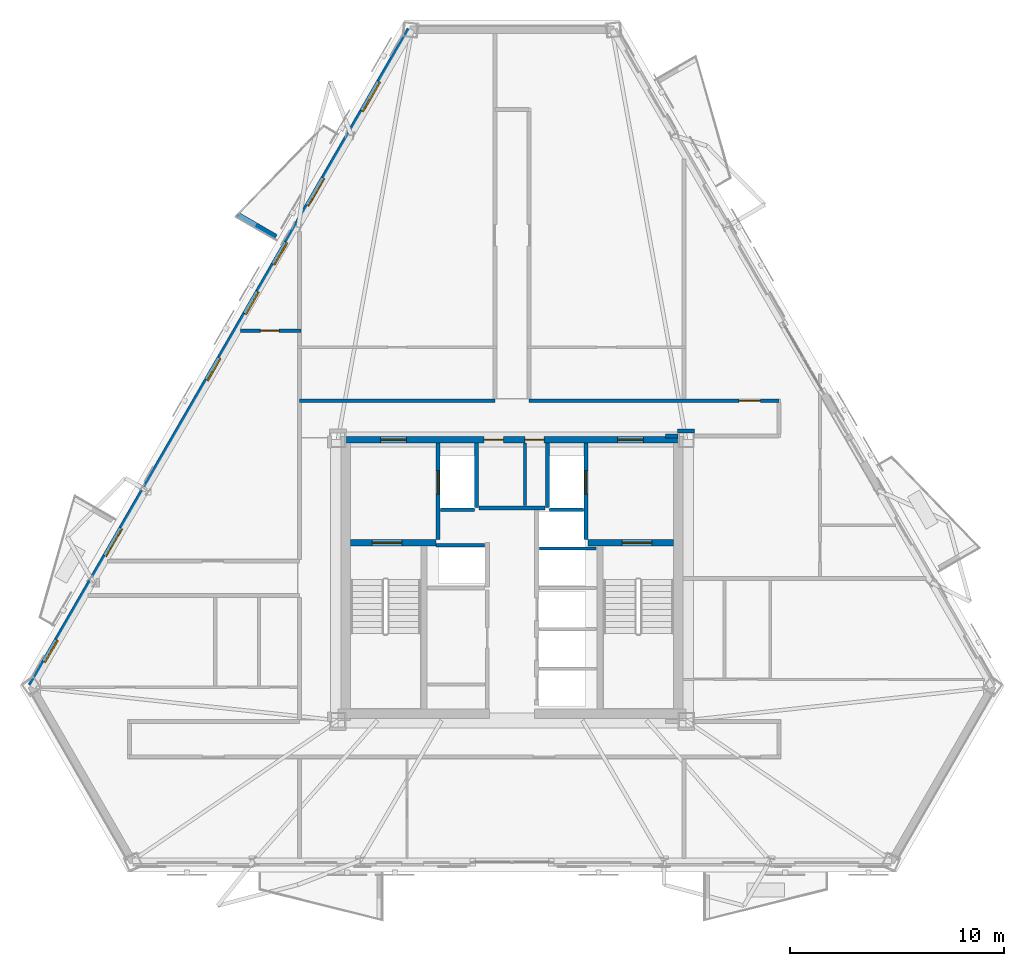
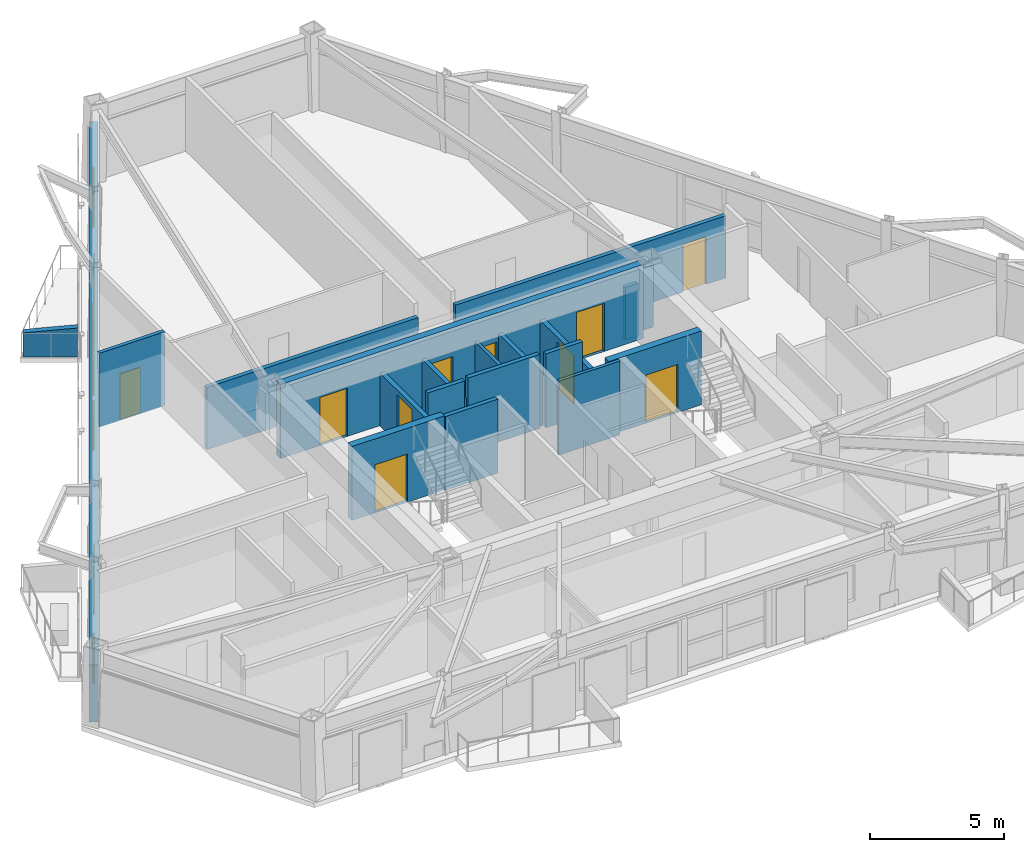
# One storey, part 8 of 14: 20 walls, 12 doors, 5 windows, 17 openings.
"""IFC4 building model written with IfcOpenShell, lengths in metres."""

from ifc_helpers import new_model, si_unit, direction, frame, frame_2d, origin, place, context, subcontext, project, spatial, polyline, rectangle, outline, extrude, material, layer, layer_set, type_object, element, fill, save


model = new_model("IFC4")

# Units and contexts
model_context = context("Model", 3, precision=1e-05, world=origin(), true_north=direction((0.0, 1.0)))
body_context = subcontext(model_context, "Body", "Model", "MODEL_VIEW")
ifc_project = project(units=[si_unit("LENGTHUNIT", "METRE"), si_unit("AREAUNIT", "SQUARE_METRE"), si_unit("VOLUMEUNIT", "CUBIC_METRE"), si_unit("PLANEANGLEUNIT", "RADIAN"), si_unit("MASSUNIT", "GRAM", prefix="KILO")], contexts=[model_context])

# Site, building, storey
site_placement = place(None, origin())
site = spatial("IfcSite", under=ifc_project, at=site_placement, CompositionType="ELEMENT")
building_placement = place(site_placement, origin())
building = spatial("IfcBuilding", under=site, at=building_placement, Name="Oramaril Tower", CompositionType="ELEMENT")
storey_placement = place(building_placement, frame((0.0, 0.0, 149.39990234375)))
storey = spatial("IfcBuildingStorey", under=building, at=storey_placement, Name="L39", CompositionType="ELEMENT", Elevation=149.39990234375)

# Wall, openings, doors, windows
ifc_material_1 = material(Name="Warm Cream Limestone", Category="masonry")
ifc_layer_1 = layer(ifc_material_1, 0.340087890625)
ifc_layer_set_1 = layer_set([ifc_layer_1], Name="WT-EXT34")
wall_type_1 = type_object("IfcWallType", Name="WT-EXT34", PredefinedType="SOLIDWALL", material=ifc_layer_set_1)
wall_1_placement = place(storey_placement, frame((32.73388671875, 43.331298828125, 0.0), z_axis=(0.0, 0.0, 1.0), x_axis=(-0.499998697515, -0.866026155773, 0.0)))
wall_1 = element("IfcWall", 1, at=wall_1_placement, inside=storey, type_object=wall_type_1, Name="L39 Tower Limestone Facade Wall 6M", PredefinedType="SOLIDWALL", context=body_context, shape_type="SweptSolid", body=[
    extrude(rectangle(XDim=35.4716796875, YDim=0.340087890625, at=frame_2d((17.73583984375, 0.0))), origin(), (0.0, 0.0, 1.0), 2.60009765625),
])
opening_1_placement = place(wall_1_placement, frame((8.034423828125, 0.0, 0.0)))
opening_1 = element("IfcOpeningElement", 2, at=opening_1_placement, cuts=wall_1, Name="Opening D-L39-BAL-NW1", PredefinedType="OPENING", context=body_context, shape_type="SweptSolid", body=[
    extrude(rectangle(XDim=1.5, YDim=2.199951171875, at=frame_2d((0.75, 1.10009765625))), frame((0.0, 0.169921875, 0.0), z_axis=(0.0, -1.0, 0.0), x_axis=(1.0, 0.0, 0.0)), (0.0, 0.0, 1.0), 0.340087890625),
])
opening_2_placement = place(wall_1_placement, frame((26.97265625, 0.0, 0.0)))
opening_2 = element("IfcOpeningElement", 3, at=opening_2_placement, cuts=wall_1, Name="Opening D-L39-BAL-NW2", PredefinedType="OPENING", context=body_context, shape_type="SweptSolid", body=[
    extrude(rectangle(XDim=1.5, YDim=2.199951171875, at=frame_2d((0.75, 1.10009765625))), frame((0.0, 0.169921875, 0.0), z_axis=(0.0, -1.0, 0.0), x_axis=(1.0, 0.0, 0.0)), (0.0, 0.0, 1.0), 0.340087890625),
])
opening_3_placement = place(wall_1_placement, frame((33.00048828125, 0.0, 0.85009765625)))
opening_3 = element("IfcOpeningElement", 4, at=opening_3_placement, cuts=wall_1, Name="Opening WN-09", PredefinedType="OPENING", context=body_context, shape_type="SweptSolid", body=[
    extrude(rectangle(XDim=1.199951171875, YDim=1.47998046875, at=frame_2d((0.60009765625, 0.739990234375))), frame((0.0, 0.169921875, 0.0), z_axis=(0.0, -1.0, 0.0), x_axis=(1.0, 0.0, 0.0)), (0.0, 0.0, 1.0), 0.340087890625),
])
opening_4_placement = place(wall_1_placement, frame((17.76708984375, 0.0, 0.85009765625)))
opening_4 = element("IfcOpeningElement", 5, at=opening_4_placement, cuts=wall_1, Name="Opening WN-09", PredefinedType="OPENING", context=body_context, shape_type="SweptSolid", body=[
    extrude(rectangle(XDim=1.199951171875, YDim=1.47998046875, at=frame_2d((0.60009765625, 0.739990234375))), frame((0.0, 0.169921875, 0.0), z_axis=(0.0, -1.0, 0.0), x_axis=(1.0, 0.0, 0.0)), (0.0, 0.0, 1.0), 0.340087890625),
])
opening_5_placement = place(wall_1_placement, frame((11.51318359375, 0.0, 0.85009765625)))
opening_5 = element("IfcOpeningElement", 6, at=opening_5_placement, cuts=wall_1, Name="Opening WN-09", PredefinedType="OPENING", context=body_context, shape_type="SweptSolid", body=[
    extrude(rectangle(XDim=1.199951171875, YDim=1.47998046875, at=frame_2d((0.60009765625, 0.739990234375))), frame((0.0, 0.169921875, 0.0), z_axis=(0.0, -1.0, 0.0), x_axis=(1.0, 0.0, 0.0)), (0.0, 0.0, 1.0), 0.340087890625),
])
opening_6_placement = place(wall_1_placement, frame((14.179443359375, 0.0, 0.85009765625)))
opening_6 = element("IfcOpeningElement", 7, at=opening_6_placement, cuts=wall_1, Name="Opening WN-09", PredefinedType="OPENING", context=body_context, shape_type="SweptSolid", body=[
    extrude(rectangle(XDim=1.199951171875, YDim=1.47998046875, at=frame_2d((0.60009765625, 0.739990234375))), frame((0.0, 0.169921875, 0.0), z_axis=(0.0, -1.0, 0.0), x_axis=(1.0, 0.0, 0.0)), (0.0, 0.0, 1.0), 0.340087890625),
])
opening_7_placement = place(wall_1_placement, frame((2.822998046875, 0.0, 0.85009765625)))
opening_7 = element("IfcOpeningElement", 8, at=opening_7_placement, cuts=wall_1, Name="Opening WN-07", PredefinedType="OPENING", context=body_context, shape_type="SweptSolid", body=[
    extrude(rectangle(XDim=1.60009765625, YDim=1.639892578125, at=frame_2d((0.800048828125, 0.81982421875))), frame((0.0, 0.169921875, 0.0), z_axis=(0.0, -1.0, 0.0), x_axis=(1.0, 0.0, 0.0)), (0.0, 0.0, 1.0), 0.340087890625),
])
ifc_material_2 = material(Name="Anodised Aluminium 6063-T6", Category="aluminium")
door_type_1 = type_object("IfcDoorType", Name="DT-BAL", OperationType="NOTDEFINED", PredefinedType="DOOR", material=ifc_material_2)
door_1_placement = place(opening_1_placement, origin())
door_1 = element("IfcDoor", 9, at=door_1_placement, inside=storey, type_object=door_type_1, Name="L39 Balcony Glazed Door L39-BAL-NW1", OperationType="SINGLE_SWING_RIGHT", OverallHeight=2.199951171875, OverallWidth=1.5, PredefinedType="DOOR", context=body_context, shape_type="SweptSolid", body=[
    extrude(rectangle(XDim=1.5, YDim=2.199951171875, at=frame_2d((0.75, 1.10009765625))), frame((0.0, 0.02490234375, 0.0), z_axis=(0.0, -1.0, 0.0), x_axis=(1.0, 0.0, 0.0)), (0.0, 0.0, 1.0), 0.050048828125),
])
fill(opening_1, door_1)
door_2_placement = place(opening_2_placement, origin())
door_2 = element("IfcDoor", 10, at=door_2_placement, inside=storey, type_object=door_type_1, Name="L39 Balcony Glazed Door L39-BAL-NW2", OperationType="SINGLE_SWING_LEFT", OverallHeight=2.199951171875, OverallWidth=1.5, PredefinedType="DOOR", context=body_context, shape_type="SweptSolid", body=[
    extrude(rectangle(XDim=1.5, YDim=2.199951171875, at=frame_2d((0.75, 1.10009765625))), frame((0.0, 0.02490234375, 0.0), z_axis=(0.0, -1.0, 0.0), x_axis=(1.0, 0.0, 0.0)), (0.0, 0.0, 1.0), 0.050048828125),
])
fill(opening_2, door_2)
ifc_material_3 = material(Name="Coastal Low-E Insulated Glass", Category="glass")
window_type_1 = type_object("IfcWindowType", Name="WNT-07", PartitioningType="SINGLE_PANEL", PredefinedType="WINDOW", material=ifc_material_3)
window_1_placement = place(opening_7_placement, origin())
window_1 = element("IfcWindow", 11, at=window_1_placement, inside=storey, type_object=window_type_1, Name="L39 Chicago Bay Window WN-07", OverallHeight=1.639892578125, OverallWidth=1.60009765625, PartitioningType="SINGLE_PANEL", PredefinedType="WINDOW", context=body_context, shape_type="SweptSolid", body=[
    extrude(rectangle(XDim=1.60009765625, YDim=1.639892578125, at=frame_2d((0.800048828125, 0.81982421875))), frame((0.0, 0.030029296875, 0.0), z_axis=(0.0, -1.0, 0.0), x_axis=(1.0, 0.0, 0.0)), (0.0, 0.0, 1.0), 0.06005859375),
])
fill(opening_7, window_1)
ifc_material_4 = material(Name="Coastal Low-E Insulated Glass", Category="glass")
window_type_2 = type_object("IfcWindowType", Name="WNT-09", PartitioningType="SINGLE_PANEL", PredefinedType="WINDOW", material=ifc_material_4)
window_2_placement = place(opening_3_placement, origin())
window_2 = element("IfcWindow", 12, at=window_2_placement, inside=storey, type_object=window_type_2, Name="L39 Chicago Bay Window WN-09", OverallHeight=1.47998046875, OverallWidth=1.199951171875, PartitioningType="SINGLE_PANEL", PredefinedType="WINDOW", context=body_context, shape_type="SweptSolid", body=[
    extrude(rectangle(XDim=1.199951171875, YDim=1.47998046875, at=frame_2d((0.60009765625, 0.739990234375))), frame((0.0, 0.030029296875, 0.0), z_axis=(0.0, -1.0, 0.0), x_axis=(1.0, 0.0, 0.0)), (0.0, 0.0, 1.0), 0.06005859375),
])
fill(opening_3, window_2)
window_3_placement = place(opening_4_placement, origin())
window_3 = element("IfcWindow", 13, at=window_3_placement, inside=storey, type_object=window_type_2, Name="L39 Chicago Bay Window WN-09", OverallHeight=1.47998046875, OverallWidth=1.199951171875, PartitioningType="SINGLE_PANEL", PredefinedType="WINDOW", context=body_context, shape_type="SweptSolid", body=[
    extrude(rectangle(XDim=1.199951171875, YDim=1.47998046875, at=frame_2d((0.60009765625, 0.739990234375))), frame((0.0, 0.030029296875, 0.0), z_axis=(0.0, -1.0, 0.0), x_axis=(1.0, 0.0, 0.0)), (0.0, 0.0, 1.0), 0.06005859375),
])
fill(opening_4, window_3)
window_4_placement = place(opening_5_placement, origin())
window_4 = element("IfcWindow", 14, at=window_4_placement, inside=storey, type_object=window_type_2, Name="L39 Chicago Bay Window WN-09", OverallHeight=1.47998046875, OverallWidth=1.199951171875, PartitioningType="SINGLE_PANEL", PredefinedType="WINDOW", context=body_context, shape_type="SweptSolid", body=[
    extrude(rectangle(XDim=1.199951171875, YDim=1.47998046875, at=frame_2d((0.60009765625, 0.739990234375))), frame((0.0, 0.030029296875, 0.0), z_axis=(0.0, -1.0, 0.0), x_axis=(1.0, 0.0, 0.0)), (0.0, 0.0, 1.0), 0.06005859375),
])
fill(opening_5, window_4)
window_5_placement = place(opening_6_placement, origin())
window_5 = element("IfcWindow", 15, at=window_5_placement, inside=storey, type_object=window_type_2, Name="L39 Chicago Bay Window WN-09", OverallHeight=1.47998046875, OverallWidth=1.199951171875, PartitioningType="SINGLE_PANEL", PredefinedType="WINDOW", context=body_context, shape_type="SweptSolid", body=[
    extrude(rectangle(XDim=1.199951171875, YDim=1.47998046875, at=frame_2d((0.60009765625, 0.739990234375))), frame((0.0, 0.030029296875, 0.0), z_axis=(0.0, -1.0, 0.0), x_axis=(1.0, 0.0, 0.0)), (0.0, 0.0, 1.0), 0.06005859375),
])
fill(opening_6, window_5)

# Walls
ifc_material_5 = material(Name="Concrete C40/50", Category="concrete")
ifc_layer_2 = layer(ifc_material_5, 0.22998046875)
ifc_layer_set_2 = layer_set([ifc_layer_2], Name="WT-PRP23")
wall_type_2 = type_object("IfcWallType", Name="WT-PRP23", PredefinedType="PARAPET", material=ifc_layer_set_2)
wall_2_placement = place(storey_placement, frame((26.451416015625, 33.645751953125, 0.0), z_axis=(0.0, 0.0, 1.0), x_axis=(-0.866012356593, 0.500022597718, 0.0)))
element("IfcWall", 16, at=wall_2_placement, inside=storey, type_object=wall_type_2, Name="L39 Trapezoidal Balcony Frame Cheek L39-BAL-NW1-R", PredefinedType="PARAPET", context=body_context, shape_type="SweptSolid", body=[
    extrude(outline(polyline([(0.0, 0.0), (2.0419921875, 0.0), (2.0419921875, 1.10009765625), (0.0, 1.320068359375), (0.0, 0.0)])), frame((0.0, 0.114990234375, 0.0), z_axis=(0.0, -1.0, 0.0), x_axis=(1.0, 0.0, 0.0)), (0.0, 0.0, 1.0), 0.22998046875),
])
ifc_material_6 = material(Name="Acoustic Gypsum Board Partition")
ifc_layer_3 = layer(ifc_material_6, 0.139892578125)
ifc_layer_set_3 = layer_set([ifc_layer_3], Name="WT-PT14")
wall_type_3 = type_object("IfcWallType", Name="WT-PT14", PredefinedType="PARTITIONING", material=ifc_layer_set_3)
wall_3_placement = place(storey_placement, frame((38.780029296875, 19.050048828125, 0.0), z_axis=(0.0, 0.0, 1.0), x_axis=(1.0, 0.0, 0.0)))
element("IfcWall", 17, at=wall_3_placement, inside=storey, type_object=wall_type_3, Name="L39 East Lift Divider", PredefinedType="PARTITIONING", context=body_context, shape_type="SweptSolid", body=[
    extrude(rectangle(XDim=2.659912109375, YDim=0.139892578125, at=frame_2d((1.330078125, 0.0))), origin(), (0.0, 0.0, 1.0), 3.380126953125),
])
wall_4_placement = place(storey_placement, frame((38.110107421875, 21.06005859375, 0.0), z_axis=(0.0, 0.0, 1.0), x_axis=(0.0, 1.0, 0.0)))
element("IfcWall", 18, at=wall_4_placement, inside=storey, type_object=wall_type_3, Name="L39 Core Service Divider", PredefinedType="PARTITIONING", context=body_context, shape_type="SweptSolid", body=[
    extrude(rectangle(XDim=2.919921875, YDim=0.139892578125, at=frame_2d((1.4599609375, 0.0))), origin(), (0.0, 0.0, 1.0), 2.420166015625),
])

# Wall, opening, door
ifc_material_7 = material(Name="Acoustic Gypsum Board Partition")
ifc_layer_4 = layer(ifc_material_7, 0.159912109375)
ifc_layer_set_4 = layer_set([ifc_layer_4], Name="WT-PT16")
wall_type_4 = type_object("IfcWallType", Name="WT-PT16", PredefinedType="PARTITIONING", material=ifc_layer_set_4)
wall_5_placement = place(storey_placement, frame((24.79931640625, 29.239990234375, 0.0), z_axis=(0.0, 0.0, 1.0), x_axis=(1.0, 0.0, 0.0)))
wall_5 = element("IfcWall", 19, at=wall_5_placement, inside=storey, type_object=wall_type_4, Name="L39 Interior Partition PT-16", PredefinedType="PARTITIONING", context=body_context, shape_type="SweptSolid", body=[
    extrude(rectangle(XDim=2.832763671875, YDim=0.159912109375, at=frame_2d((1.41650390625, 0.0))), origin(), (0.0, 0.0, 1.0), 3.380126953125),
])
opening_8_placement = place(wall_5_placement, frame((0.919677734375, 0.0, 0.0)))
opening_8 = element("IfcOpeningElement", 20, at=opening_8_placement, cuts=wall_5, Name="Opening D-L39-14", PredefinedType="OPENING", context=body_context, shape_type="SweptSolid", body=[
    extrude(rectangle(XDim=0.8798828125, YDim=2.080078125, at=frame_2d((0.43994140625, 1.0400390625))), frame((0.0, 0.080078125, 0.0), z_axis=(0.0, -1.0, 0.0), x_axis=(1.0, 0.0, 0.0)), (0.0, 0.0, 1.0), 0.159912109375),
])
ifc_material_8 = material(Name="FSC Brazilian Freijo Hardwood", Category="wood")
door_type_2 = type_object("IfcDoorType", Name="DT-BATH", OperationType="NOTDEFINED", PredefinedType="DOOR", material=ifc_material_8)
door_3_placement = place(opening_8_placement, origin())
door_3 = element("IfcDoor", 21, at=door_3_placement, inside=storey, type_object=door_type_2, Name="L39 Flat L39-U3 Bathroom Door D-L39-14", OperationType="SINGLE_SWING_LEFT", OverallHeight=2.080078125, OverallWidth=0.8798828125, PredefinedType="DOOR", context=body_context, shape_type="SweptSolid", body=[
    extrude(rectangle(XDim=0.8798828125, YDim=2.080078125, at=frame_2d((0.43994140625, 1.0400390625))), frame((0.0, 0.02490234375, 0.0), z_axis=(0.0, -1.0, 0.0), x_axis=(1.0, 0.0, 0.0)), (0.0, 0.0, 1.0), 0.050048828125),
])
fill(opening_8, door_3)

# Walls
ifc_material_9 = material(Name="Autoclaved Cellular Concrete Block", Category="concrete")
ifc_layer_5 = layer(ifc_material_9, 0.179931640625)
ifc_layer_set_5 = layer_set([ifc_layer_5], Name="WT-PT18")
wall_type_5 = type_object("IfcWallType", Name="WT-PT18", PredefinedType="PARTITIONING", material=ifc_layer_set_5)
wall_6_placement = place(storey_placement, frame((35.840087890625, 20.9599609375, 0.0), z_axis=(0.0, 0.0, 1.0), x_axis=(0.0, 1.0, 0.0)))
element("IfcWall", 22, at=wall_6_placement, inside=storey, type_object=wall_type_5, Name="L39 FL-1 East Shaft Wall", PredefinedType="PARTITIONING", context=body_context, shape_type="SweptSolid", body=[
    extrude(rectangle(XDim=3.02001953125, YDim=0.179931640625, at=frame_2d((1.510009765625, 0.0))), origin(), (0.0, 0.0, 1.0), 2.420166015625),
])
wall_7_placement = place(storey_placement, frame((34.159912109375, 20.860107421875, 0.0), z_axis=(0.0, 0.0, 1.0), x_axis=(1.0, 0.0, 0.0)))
element("IfcWall", 23, at=wall_7_placement, inside=storey, type_object=wall_type_5, Name="L39 FL-1 South Shaft Wall", PredefinedType="PARTITIONING", context=body_context, shape_type="SweptSolid", body=[
    extrude(rectangle(XDim=1.580078125, YDim=0.179931640625, at=frame_2d((0.7900390625, 0.0))), origin(), (0.0, 0.0, 1.0), 3.380126953125),
])
wall_8_placement = place(storey_placement, frame((39.159912109375, 20.9599609375, 0.0), z_axis=(0.0, 0.0, 1.0), x_axis=(0.0, 1.0, 0.0)))
element("IfcWall", 24, at=wall_8_placement, inside=storey, type_object=wall_type_5, Name="L39 FL-2 West Shaft Wall", PredefinedType="PARTITIONING", context=body_context, shape_type="SweptSolid", body=[
    extrude(rectangle(XDim=3.02001953125, YDim=0.179931640625, at=frame_2d((1.510009765625, 0.0))), origin(), (0.0, 0.0, 1.0), 2.420166015625),
])
wall_9_placement = place(storey_placement, frame((39.260009765625, 20.860107421875, 0.0), z_axis=(0.0, 0.0, 1.0), x_axis=(1.0, 0.0, 0.0)))
element("IfcWall", 25, at=wall_9_placement, inside=storey, type_object=wall_type_5, Name="L39 FL-2 South Shaft Wall", PredefinedType="PARTITIONING", context=body_context, shape_type="SweptSolid", body=[
    extrude(rectangle(XDim=1.580078125, YDim=0.179931640625, at=frame_2d((0.7900390625, 0.0))), origin(), (0.0, 0.0, 1.0), 3.380126953125),
])
wall_10_placement = place(storey_placement, frame((33.949951171875, 19.199951171875, 0.0), z_axis=(0.0, 0.0, 1.0), x_axis=(1.0, 0.0, 0.0)))
element("IfcWall", 26, at=wall_10_placement, inside=storey, type_object=wall_type_5, Name="L39 High-Rise Lift H1 North Shaft Wall", PredefinedType="PARTITIONING", context=body_context, shape_type="SweptSolid", body=[
    extrude(rectangle(XDim=2.27001953125, YDim=0.179931640625, at=frame_2d((1.135009765625, 0.0))), origin(), (0.0, 0.0, 1.0), 3.380126953125),
])
wall_11_placement = place(storey_placement, frame((35.949951171875, 20.949951171875, 0.0), z_axis=(0.0, 0.0, 1.0), x_axis=(1.0, 0.0, 0.0)))
element("IfcWall", 27, at=wall_11_placement, inside=storey, type_object=wall_type_5, Name="L39 Lift Lobby North Partition", PredefinedType="PARTITIONING", context=body_context, shape_type="SweptSolid", body=[
    extrude(rectangle(XDim=3.10009765625, YDim=0.179931640625, at=frame_2d((1.550048828125, 0.0))), origin(), (0.0, 0.0, 1.0), 3.380126953125),
])
wall_12_placement = place(storey_placement, frame((44.695068359375, 24.320068359375, 0.0), z_axis=(0.0, 0.0, 1.0), x_axis=(1.0, 0.0, 0.0)))
element("IfcWall", 28, at=wall_12_placement, inside=storey, type_object=wall_type_5, Name="L39 Interior Partition PT-18", PredefinedType="PARTITIONING", context=body_context, shape_type="SweptSolid", body=[
    extrude(rectangle(XDim=0.56494140625, YDim=0.179931640625, at=frame_2d((0.282470703125, 0.0))), origin(), (0.0, 0.0, 1.0), 2.420166015625),
])
wall_13_placement = place(storey_placement, frame((45.2548828125, 24.550048828125, 0.0), z_axis=(0.0, 0.0, 1.0), x_axis=(1.0, 0.0, 0.0)))
element("IfcWall", 29, at=wall_13_placement, inside=storey, type_object=wall_type_5, Name="L39 Interior Partition PT-18", PredefinedType="PARTITIONING", context=body_context, shape_type="SweptSolid", body=[
    extrude(rectangle(XDim=0.7900390625, YDim=0.179931640625, at=frame_2d((0.39501953125, 0.0))), origin(), (0.0, 0.0, 1.0), 2.842041015625),
])
wall_14_placement = place(storey_placement, frame((27.550048828125, 25.969970703125, 0.0), z_axis=(0.0, 0.0, 1.0), x_axis=(1.0, 0.0, 0.0)))
element("IfcWall", 30, at=wall_14_placement, inside=storey, type_object=wall_type_5, Name="L39 Interior Partition PT-18", PredefinedType="PARTITIONING", context=body_context, shape_type="SweptSolid", body=[
    extrude(rectangle(XDim=9.14990234375, YDim=0.179931640625, at=frame_2d((4.574951171875, 0.0))), origin(), (0.0, 0.0, 1.0), 2.842041015625),
])

# Wall, opening, door
wall_15_placement = place(storey_placement, frame((38.300048828125, 25.969970703125, 0.0), z_axis=(0.0, 0.0, 1.0), x_axis=(1.0, 0.0, 0.0)))
wall_15 = element("IfcWall", 31, at=wall_15_placement, inside=storey, type_object=wall_type_5, Name="L39 Interior Partition PT-18", PredefinedType="PARTITIONING", context=body_context, shape_type="SweptSolid", body=[
    extrude(rectangle(XDim=11.699951171875, YDim=0.179931640625, at=frame_2d((5.85009765625, 0.0))), origin(), (0.0, 0.0, 1.0), 2.842041015625),
])
opening_9_placement = place(wall_15_placement, frame((9.832275390625, 0.0, 0.0)))
opening_9 = element("IfcOpeningElement", 32, at=opening_9_placement, cuts=wall_15, Name="Opening D-L39-11", PredefinedType="OPENING", context=body_context, shape_type="SweptSolid", body=[
    extrude(rectangle(XDim=1.0, YDim=2.179931640625, at=frame_2d((0.5, 1.08984375))), frame((0.0, 0.08984375, 0.0), z_axis=(0.0, -1.0, 0.0), x_axis=(1.0, 0.0, 0.0)), (0.0, 0.0, 1.0), 0.179931640625),
])
ifc_material_10 = material(Name="FSC Brazilian Freijo Hardwood", Category="wood")
door_type_3 = type_object("IfcDoorType", Name="DT-APT", OperationType="NOTDEFINED", PredefinedType="DOOR", material=ifc_material_10)
door_4_placement = place(opening_9_placement, origin())
door_4 = element("IfcDoor", 33, at=door_4_placement, inside=storey, type_object=door_type_3, Name="L39 Flat L39-U5 Studio Apartment Door D-L39-11", OperationType="SINGLE_SWING_RIGHT", OverallHeight=2.179931640625, OverallWidth=1.0, PredefinedType="DOOR", context=body_context, shape_type="SweptSolid", body=[
    extrude(rectangle(XDim=1.0, YDim=2.179931640625, at=frame_2d((0.5, 1.08984375))), frame((0.0, 0.02490234375, 0.0), z_axis=(0.0, -1.0, 0.0), x_axis=(1.0, 0.0, 0.0)), (0.0, 0.0, 1.0), 0.050048828125),
])
fill(opening_9, door_4)

# Wall, openings, doors
ifc_material_11 = material(Name="Concrete C50/60", Category="concrete")
ifc_layer_6 = layer(ifc_material_11, 0.300048828125)
ifc_layer_set_6 = layer_set([ifc_layer_6], Name="WT-SH30")
wall_type_6 = type_object("IfcWallType", Name="WT-SH30", PredefinedType="SHEAR", material=ifc_layer_set_6)
wall_16_placement = place(storey_placement, frame((29.64990234375, 24.14990234375, 0.0), z_axis=(0.0, 0.0, 1.0), x_axis=(1.0, 0.0, 0.0)))
wall_16 = element("IfcWall", 34, at=wall_16_placement, inside=storey, type_object=wall_type_6, Name="L39 Core Shear Wall CW-N", PredefinedType="SHEAR", context=body_context, shape_type="SweptSolid", body=[
    extrude(rectangle(XDim=15.7001953125, YDim=0.300048828125, at=frame_2d((7.85009765625, 0.0))), origin(), (0.0, 0.0, 1.0), 3.380126953125),
])
opening_10_placement = place(wall_16_placement, frame((1.699951171875, 0.0, 0.0)))
opening_10 = element("IfcOpeningElement", 35, at=opening_10_placement, cuts=wall_16, Name="Opening D-L39-FFL1", PredefinedType="OPENING", context=body_context, shape_type="SweptSolid", body=[
    extrude(rectangle(XDim=1.199951171875, YDim=2.199951171875, at=frame_2d((0.60009765625, 1.10009765625))), frame((0.0, 0.14990234375, 0.0), z_axis=(0.0, -1.0, 0.0), x_axis=(1.0, 0.0, 0.0)), (0.0, 0.0, 1.0), 0.300048828125),
])
opening_11_placement = place(wall_16_placement, frame((12.800048828125, 0.0, 0.0)))
opening_11 = element("IfcOpeningElement", 36, at=opening_11_placement, cuts=wall_16, Name="Opening D-L39-FFL2", PredefinedType="OPENING", context=body_context, shape_type="SweptSolid", body=[
    extrude(rectangle(XDim=1.199951171875, YDim=2.199951171875, at=frame_2d((0.60009765625, 1.10009765625))), frame((0.0, 0.14990234375, 0.0), z_axis=(0.0, -1.0, 0.0), x_axis=(1.0, 0.0, 0.0)), (0.0, 0.0, 1.0), 0.300048828125),
])
opening_12_placement = place(wall_16_placement, frame((6.550048828125, 0.0, 0.0)))
opening_12 = element("IfcOpeningElement", 37, at=opening_12_placement, cuts=wall_16, Name="Opening D-L39-SV1", PredefinedType="OPENING", context=body_context, shape_type="SweptSolid", body=[
    extrude(rectangle(XDim=0.89990234375, YDim=2.050048828125, at=frame_2d((0.449951171875, 1.02490234375))), frame((0.0, 0.14990234375, 0.0), z_axis=(0.0, -1.0, 0.0), x_axis=(1.0, 0.0, 0.0)), (0.0, 0.0, 1.0), 0.300048828125),
])
opening_13_placement = place(wall_16_placement, frame((8.449951171875, 0.0, 0.0)))
opening_13 = element("IfcOpeningElement", 38, at=opening_13_placement, cuts=wall_16, Name="Opening D-L39-SV2", PredefinedType="OPENING", context=body_context, shape_type="SweptSolid", body=[
    extrude(rectangle(XDim=0.89990234375, YDim=2.050048828125, at=frame_2d((0.449951171875, 1.02490234375))), frame((0.0, 0.14990234375, 0.0), z_axis=(0.0, -1.0, 0.0), x_axis=(1.0, 0.0, 0.0)), (0.0, 0.0, 1.0), 0.300048828125),
])
ifc_material_12 = material(Name="Painted Galvanised Steel", Category="steel")
door_type_4 = type_object("IfcDoorType", Name="DT-FFL", OperationType="NOTDEFINED", PredefinedType="DOOR", material=ifc_material_12)
door_5_placement = place(opening_10_placement, origin())
door_5 = element("IfcDoor", 39, at=door_5_placement, inside=storey, type_object=door_type_4, Name="L39 Firefighting Lobby 1 Fire Door", OperationType="SINGLE_SWING_LEFT", OverallHeight=2.199951171875, OverallWidth=1.199951171875, PredefinedType="DOOR", context=body_context, shape_type="SweptSolid", body=[
    extrude(rectangle(XDim=1.199951171875, YDim=2.199951171875, at=frame_2d((0.60009765625, 1.10009765625))), frame((0.0, 0.02490234375, 0.0), z_axis=(0.0, -1.0, 0.0), x_axis=(1.0, 0.0, 0.0)), (0.0, 0.0, 1.0), 0.050048828125),
])
fill(opening_10, door_5)
door_6_placement = place(opening_11_placement, origin())
door_6 = element("IfcDoor", 40, at=door_6_placement, inside=storey, type_object=door_type_4, Name="L39 Firefighting Lobby 2 Fire Door", OperationType="SINGLE_SWING_RIGHT", OverallHeight=2.199951171875, OverallWidth=1.199951171875, PredefinedType="DOOR", context=body_context, shape_type="SweptSolid", body=[
    extrude(rectangle(XDim=1.199951171875, YDim=2.199951171875, at=frame_2d((0.60009765625, 1.10009765625))), frame((0.0, 0.02490234375, 0.0), z_axis=(0.0, -1.0, 0.0), x_axis=(1.0, 0.0, 0.0)), (0.0, 0.0, 1.0), 0.050048828125),
])
fill(opening_11, door_6)
ifc_material_13 = material(Name="Painted Galvanised Steel", Category="steel")
door_type_5 = type_object("IfcDoorType", Name="DT-SVC", OperationType="NOTDEFINED", PredefinedType="DOOR", material=ifc_material_13)
door_7_placement = place(opening_12_placement, origin())
door_7 = element("IfcDoor", 41, at=door_7_placement, inside=storey, type_object=door_type_5, Name="L39 Core Service Store 1 Door", OperationType="SINGLE_SWING_LEFT", OverallHeight=2.050048828125, OverallWidth=0.89990234375, PredefinedType="DOOR", context=body_context, shape_type="SweptSolid", body=[
    extrude(rectangle(XDim=0.89990234375, YDim=2.050048828125, at=frame_2d((0.449951171875, 1.02490234375))), frame((0.0, 0.02490234375, 0.0), z_axis=(0.0, -1.0, 0.0), x_axis=(1.0, 0.0, 0.0)), (0.0, 0.0, 1.0), 0.050048828125),
])
fill(opening_12, door_7)
door_8_placement = place(opening_13_placement, origin())
door_8 = element("IfcDoor", 42, at=door_8_placement, inside=storey, type_object=door_type_5, Name="L39 Core Service Store 2 Door", OperationType="SINGLE_SWING_RIGHT", OverallHeight=2.050048828125, OverallWidth=0.89990234375, PredefinedType="DOOR", context=body_context, shape_type="SweptSolid", body=[
    extrude(rectangle(XDim=0.89990234375, YDim=2.050048828125, at=frame_2d((0.449951171875, 1.02490234375))), frame((0.0, 0.02490234375, 0.0), z_axis=(0.0, -1.0, 0.0), x_axis=(1.0, 0.0, 0.0)), (0.0, 0.0, 1.0), 0.050048828125),
])
fill(opening_13, door_8)

# Wall, opening, door
wall_17_placement = place(storey_placement, frame((29.93994140625, 19.31005859375, 0.0), z_axis=(0.0, 0.0, 1.0), x_axis=(1.0, 0.0, 0.0)))
wall_17 = element("IfcWall", 43, at=wall_17_placement, inside=storey, type_object=wall_type_6, Name="L39 Core Shear Wall CW-ST1N", PredefinedType="SHEAR", context=body_context, shape_type="SweptSolid", body=[
    extrude(rectangle(XDim=4.010009765625, YDim=0.300048828125, at=frame_2d((2.0048828125, 0.0))), origin(), (0.0, 0.0, 1.0), 3.380126953125),
])
opening_14_placement = place(wall_17_placement, frame((1.010009765625, 0.0, 0.0)))
opening_14 = element("IfcOpeningElement", 44, at=opening_14_placement, cuts=wall_17, Name="Opening D-L39-ST1", PredefinedType="OPENING", context=body_context, shape_type="SweptSolid", body=[
    extrude(rectangle(XDim=1.39990234375, YDim=2.199951171875, at=frame_2d((0.699951171875, 1.10009765625))), frame((0.0, 0.14990234375, 0.0), z_axis=(0.0, -1.0, 0.0), x_axis=(1.0, 0.0, 0.0)), (0.0, 0.0, 1.0), 0.300048828125),
])
ifc_material_14 = material(Name="Painted Galvanised Steel", Category="steel")
door_type_6 = type_object("IfcDoorType", Name="DT-ST", OperationType="NOTDEFINED", PredefinedType="DOOR", material=ifc_material_14)
door_9_placement = place(opening_14_placement, origin())
door_9 = element("IfcDoor", 45, at=door_9_placement, inside=storey, type_object=door_type_6, Name="L39 Protected Stair ST-1 Fire Door", OperationType="SINGLE_SWING_LEFT", OverallHeight=2.199951171875, OverallWidth=1.39990234375, PredefinedType="DOOR", context=body_context, shape_type="SweptSolid", body=[
    extrude(rectangle(XDim=1.39990234375, YDim=2.199951171875, at=frame_2d((0.699951171875, 1.10009765625))), frame((0.0, 0.02490234375, 0.0), z_axis=(0.0, -1.0, 0.0), x_axis=(1.0, 0.0, 0.0)), (0.0, 0.0, 1.0), 0.050048828125),
])
fill(opening_14, door_9)

wall_18_placement = place(storey_placement, frame((41.050048828125, 19.31005859375, 0.0), z_axis=(0.0, 0.0, 1.0), x_axis=(1.0, 0.0, 0.0)))
wall_18 = element("IfcWall", 46, at=wall_18_placement, inside=storey, type_object=wall_type_6, Name="L39 Core Shear Wall CW-ST2N", PredefinedType="SHEAR", context=body_context, shape_type="SweptSolid", body=[
    extrude(rectangle(XDim=4.010009765625, YDim=0.300048828125, at=frame_2d((2.0048828125, 0.0))), origin(), (0.0, 0.0, 1.0), 3.380126953125),
])
opening_15_placement = place(wall_18_placement, frame((1.60009765625, 0.0, 0.0)))
opening_15 = element("IfcOpeningElement", 47, at=opening_15_placement, cuts=wall_18, Name="Opening D-L39-ST2", PredefinedType="OPENING", context=body_context, shape_type="SweptSolid", body=[
    extrude(rectangle(XDim=1.39990234375, YDim=2.199951171875, at=frame_2d((0.699951171875, 1.10009765625))), frame((0.0, 0.14990234375, 0.0), z_axis=(0.0, -1.0, 0.0), x_axis=(1.0, 0.0, 0.0)), (0.0, 0.0, 1.0), 0.300048828125),
])
door_10_placement = place(opening_15_placement, origin())
door_10 = element("IfcDoor", 48, at=door_10_placement, inside=storey, type_object=door_type_6, Name="L39 Protected Stair ST-2 Fire Door", OperationType="SINGLE_SWING_RIGHT", OverallHeight=2.199951171875, OverallWidth=1.39990234375, PredefinedType="DOOR", context=body_context, shape_type="SweptSolid", body=[
    extrude(rectangle(XDim=1.39990234375, YDim=2.199951171875, at=frame_2d((0.699951171875, 1.10009765625))), frame((0.0, 0.02490234375, 0.0), z_axis=(0.0, -1.0, 0.0), x_axis=(1.0, 0.0, 0.0)), (0.0, 0.0, 1.0), 0.050048828125),
])
fill(opening_15, door_10)

ifc_material_15 = material(Name="Autoclaved Cellular Concrete Block", Category="concrete")
ifc_layer_7 = layer(ifc_material_15, 0.199951171875)
ifc_layer_set_7 = layer_set([ifc_layer_7], Name="WT-SHF20")
wall_type_7 = type_object("IfcWallType", Name="WT-SHF20", PredefinedType="PARTITIONING", material=ifc_layer_set_7)
wall_19_placement = place(storey_placement, frame((34.0400390625, 19.47998046875, 0.0), z_axis=(0.0, 0.0, 1.0), x_axis=(0.0, 1.0, 0.0)))
wall_19 = element("IfcWall", 49, at=wall_19_placement, inside=storey, type_object=wall_type_7, Name="L39 FL-1 Lobby Shaft Wall", PredefinedType="PARTITIONING", context=body_context, shape_type="SweptSolid", body=[
    extrude(rectangle(XDim=4.5, YDim=0.199951171875, at=frame_2d((2.25, 0.0))), origin(), (0.0, 0.0, 1.0), 2.420166015625),
])
opening_16_placement = place(wall_19_placement, frame((2.1201171875, 0.0, 0.0)))
opening_16 = element("IfcOpeningElement", 50, at=opening_16_placement, cuts=wall_19, Name="Opening LD-L39-FL-1", PredefinedType="OPENING", context=body_context, shape_type="SweptSolid", body=[
    extrude(rectangle(XDim=1.10009765625, YDim=2.199951171875, at=frame_2d((0.550048828125, 1.10009765625))), frame((0.0, 0.10009765625, 0.0), z_axis=(0.0, -1.0, 0.0), x_axis=(1.0, 0.0, 0.0)), (0.0, 0.0, 1.0), 0.199951171875),
])
ifc_material_16 = material(Name="Stainless Steel 316L", Category="steel")
door_type_7 = type_object("IfcDoorType", Name="DT-LD1", OperationType="NOTDEFINED", PredefinedType="DOOR", material=ifc_material_16)
door_11_placement = place(opening_16_placement, origin())
door_11 = element("IfcDoor", 51, at=door_11_placement, inside=storey, type_object=door_type_7, Name="L39 Lift FL-1 Sliding Landing Door", OperationType="SLIDING_TO_LEFT", OverallHeight=2.199951171875, OverallWidth=1.10009765625, PredefinedType="DOOR", context=body_context, shape_type="SweptSolid", body=[
    extrude(rectangle(XDim=1.10009765625, YDim=2.199951171875, at=frame_2d((0.550048828125, 1.10009765625))), frame((0.0, 0.02490234375, 0.0), z_axis=(0.0, -1.0, 0.0), x_axis=(1.0, 0.0, 0.0)), (0.0, 0.0, 1.0), 0.050048828125),
])
fill(opening_16, door_11)

wall_20_placement = place(storey_placement, frame((40.9599609375, 19.47998046875, 0.0), z_axis=(0.0, 0.0, 1.0), x_axis=(0.0, 1.0, 0.0)))
wall_20 = element("IfcWall", 52, at=wall_20_placement, inside=storey, type_object=wall_type_7, Name="L39 FL-2 Lobby Shaft Wall", PredefinedType="PARTITIONING", context=body_context, shape_type="SweptSolid", body=[
    extrude(rectangle(XDim=4.5, YDim=0.199951171875, at=frame_2d((2.25, 0.0))), origin(), (0.0, 0.0, 1.0), 2.420166015625),
])
opening_17_placement = place(wall_20_placement, frame((2.1201171875, 0.0, 0.0)))
opening_17 = element("IfcOpeningElement", 53, at=opening_17_placement, cuts=wall_20, Name="Opening LD-L39-FL-2", PredefinedType="OPENING", context=body_context, shape_type="SweptSolid", body=[
    extrude(rectangle(XDim=1.10009765625, YDim=2.199951171875, at=frame_2d((0.550048828125, 1.10009765625))), frame((0.0, 0.10009765625, 0.0), z_axis=(0.0, -1.0, 0.0), x_axis=(1.0, 0.0, 0.0)), (0.0, 0.0, 1.0), 0.199951171875),
])
door_12_placement = place(opening_17_placement, origin())
door_12 = element("IfcDoor", 54, at=door_12_placement, inside=storey, type_object=door_type_7, Name="L39 Lift FL-2 Sliding Landing Door", OperationType="SLIDING_TO_RIGHT", OverallHeight=2.199951171875, OverallWidth=1.10009765625, PredefinedType="DOOR", context=body_context, shape_type="SweptSolid", body=[
    extrude(rectangle(XDim=1.10009765625, YDim=2.199951171875, at=frame_2d((0.550048828125, 1.10009765625))), frame((0.0, 0.02490234375, 0.0), z_axis=(0.0, -1.0, 0.0), x_axis=(1.0, 0.0, 0.0)), (0.0, 0.0, 1.0), 0.050048828125),
])
fill(opening_17, door_12)

save(model, "model.ifc")
